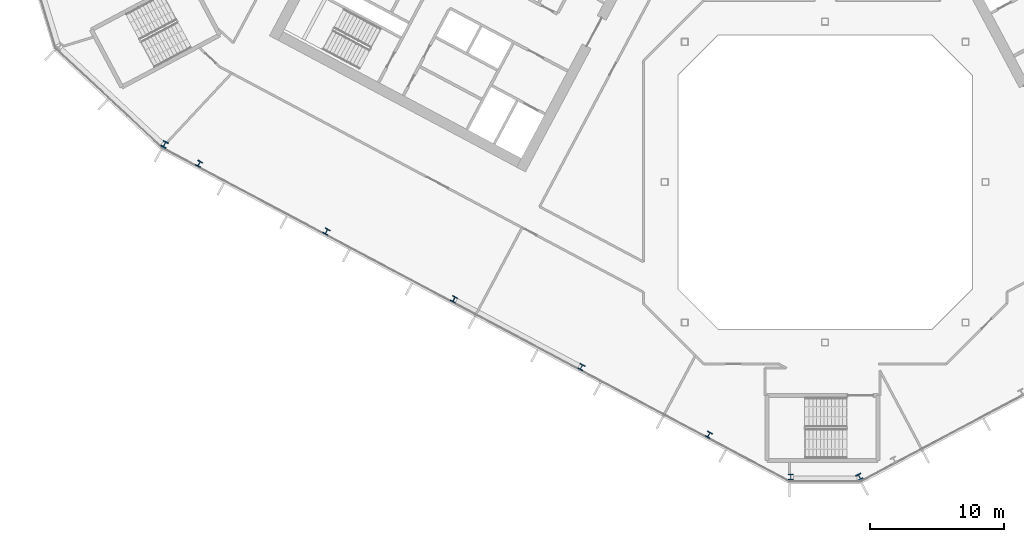
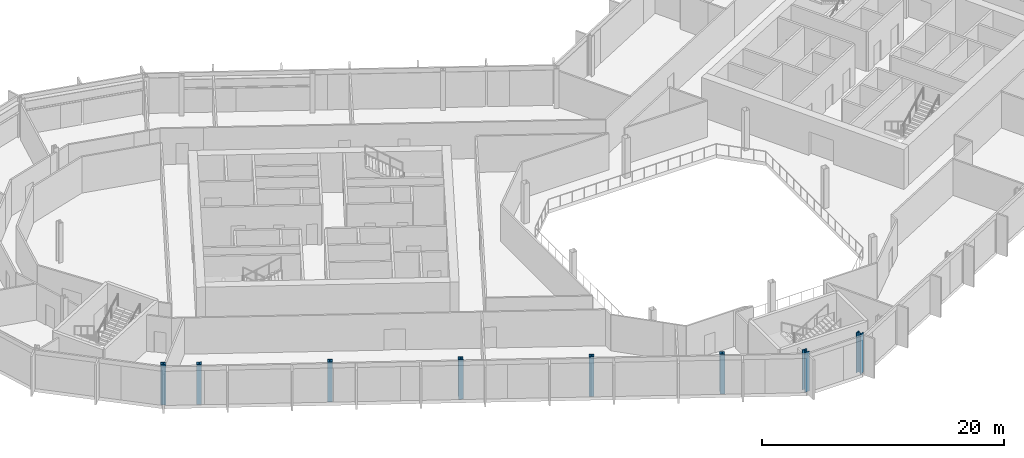
# One storey, part 1 of 28: 8 columns.
"""IFC4 building model written with IfcOpenShell, lengths in metres."""

from ifc_helpers import new_model, si_unit, direction, frame, origin, origin_2d, place, context, subcontext, project, spatial, i_section, extrude, material, material_profile, profile_set, type_object, element, save


model = new_model("IFC4")

# Units and contexts
model_context = context("Model", 3, precision=1e-05, world=origin(), true_north=direction((0.0, 1.0)))
body_context = subcontext(model_context, "Body", "Model", "MODEL_VIEW")
ifc_project = project(units=[si_unit("LENGTHUNIT", "METRE"), si_unit("AREAUNIT", "SQUARE_METRE"), si_unit("VOLUMEUNIT", "CUBIC_METRE"), si_unit("PLANEANGLEUNIT", "RADIAN"), si_unit("MASSUNIT", "GRAM", prefix="KILO")], contexts=[model_context])

# Site, building, storey
site_placement = place(None, origin())
site = spatial("IfcSite", under=ifc_project, at=site_placement, CompositionType="ELEMENT")
building_placement = place(site_placement, origin())
building = spatial("IfcBuilding", under=site, at=building_placement, Name="Cormorant Relay Tower", CompositionType="ELEMENT")
storey_placement = place(building_placement, frame((0.0, 0.0, 166.199951171875)))
storey = spatial("IfcBuildingStorey", under=building, at=storey_placement, Name="L35", CompositionType="ELEMENT", Elevation=166.199951171875)

# Columns
ifc_material_1 = material(Name="Steel ASTM A992 (Fy 345 MPa)", Category="steel")
ifc_material_profile_1 = material_profile(ifc_material_1, i_section(OverallWidth=0.41162109375, OverallDepth=0.434326171875, WebThickness=0.035888671875, FlangeThickness=0.057373046875, FilletRadius=0.01513671875, at=origin_2d()), Name="W360x463")
ifc_profile_set_1 = profile_set([ifc_material_profile_1], Name="Steel ASTM A992 (Fy 345 MPa)")
column_type_1 = type_object("IfcColumnType", Name="Column W360x463", PredefinedType="COLUMN", material=ifc_profile_set_1)
for number, where, z_axis, x_axis, name in (
    (1, (-8.696044921875, -18.910888671875, 0.0), (0.0, 0.0, 1.0), (0.882947592859, -0.469471562786, 0.0), "Column L35-004"),
    (2, (-18.23193359375, -13.841064453125, 0.0), (0.0, 0.0, 1.0), (0.882947592859, -0.469471562786, 0.0), "Column L35-006"),
    (3, (-27.76806640625, -8.77001953125, 0.0), (0.0, 0.0, 1.0), (0.882947592859, -0.469471562786, 0.0), "Column L35-011"),
    (4, (-37.303955078125, -3.699951171875, 0.0), (0.0, 0.0, 1.0), (0.882947592859, -0.469471562786, 0.0), "Column L35-013"),
    (5, (-46.839111328125, 1.3701171875, 0.0), (0.0, 0.0, 1.0), (0.882947592859, -0.469471562786, 0.0), "Column L35-018"),
):
    element("IfcColumn", number, at=place(storey_placement, frame(where, z_axis=z_axis, x_axis=x_axis)), inside=storey, type_object=column_type_1, Name=name, PredefinedType="COLUMN", context=body_context, shape_type="SweptSolid", body=[
        extrude(i_section(OverallWidth=0.41162109375, OverallDepth=0.434326171875, WebThickness=0.035888671875, FlangeThickness=0.057373046875, FilletRadius=0.01513671875, at=origin_2d()), origin(), (0.0, 0.0, 1.0), 4.0),
    ])
ifc_material_2 = material(Name="Steel ASTM A992 (Fy 345 MPa)", Category="steel")
ifc_material_profile_2 = material_profile(ifc_material_2, i_section(OverallWidth=0.42431640625, OverallDepth=0.47509765625, WebThickness=0.0478515625, FlangeThickness=0.0771484375, FilletRadius=0.014892578125, at=origin_2d()), Name="W360x634")
ifc_profile_set_2 = profile_set([ifc_material_profile_2], Name="Steel ASTM A992 (Fy 345 MPa)")
column_type_2 = type_object("IfcColumnType", Name="Column W360x634", PredefinedType="COLUMN", material=ifc_profile_set_2)
for number, where, z_axis, x_axis, name in (
    (6, (-2.571044921875, -22.06494140625, 0.0), (0.0, 0.0, 1.0), (1.0, 0.0, 0.0), "Column L35-001"),
    (7, (2.571044921875, -22.06494140625, 0.0), (0.0, 0.0, 1.0), (0.882947592859, 0.469471562786, 0.0), "Column L35-002"),
    (8, (-49.423095703125, 2.820068359375, 0.0), (0.0, 0.0, 1.0), (0.882947592859, -0.469471562786, 0.0), "Column L35-019"),
):
    element("IfcColumn", number, at=place(storey_placement, frame(where, z_axis=z_axis, x_axis=x_axis)), inside=storey, type_object=column_type_2, Name=name, PredefinedType="COLUMN", context=body_context, shape_type="SweptSolid", body=[
        extrude(i_section(OverallWidth=0.42431640625, OverallDepth=0.47509765625, WebThickness=0.0478515625, FlangeThickness=0.0771484375, FilletRadius=0.014892578125, at=origin_2d()), origin(), (0.0, 0.0, 1.0), 4.0),
    ])

save(model, "model.ifc")
